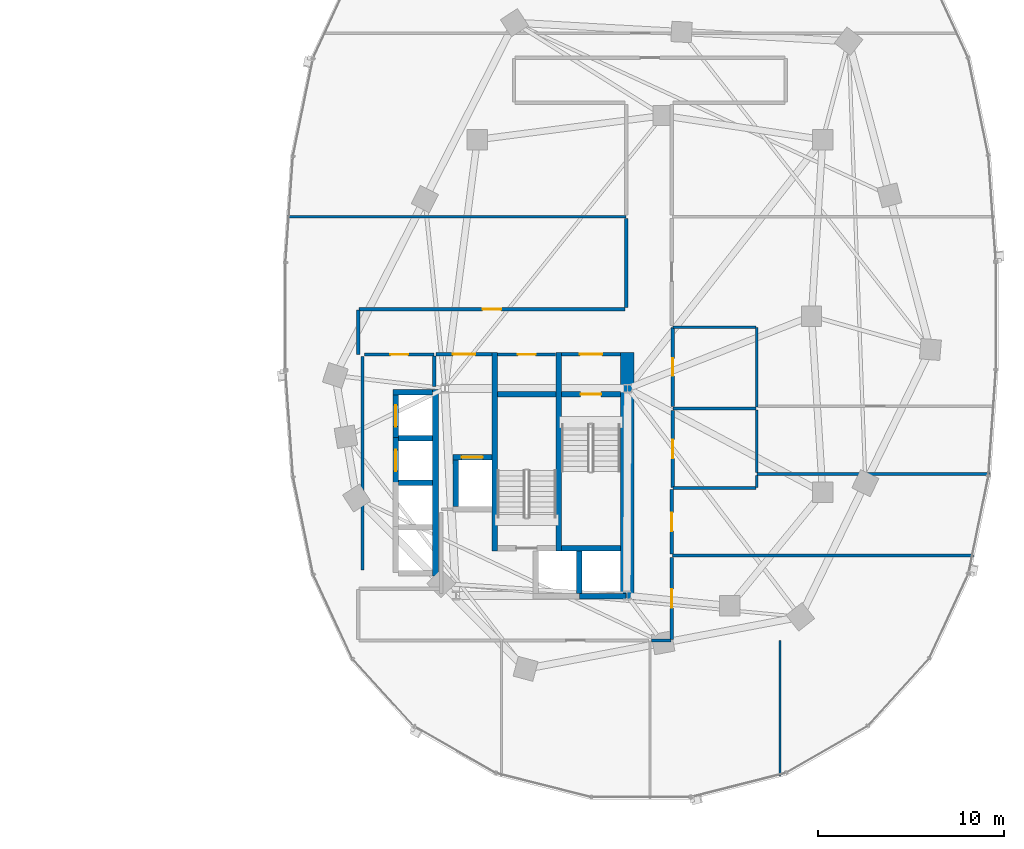
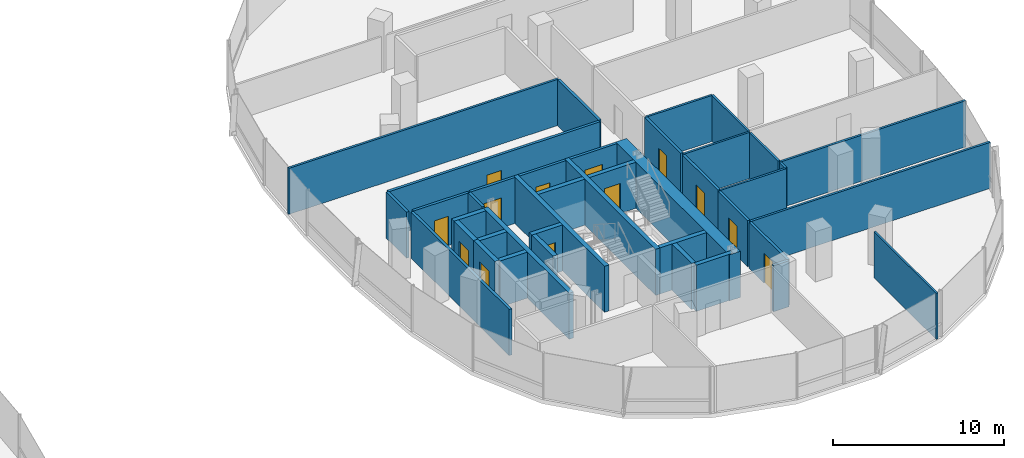
# One storey, part 13 of 21: 40 walls, 13 doors, 13 openings.
"""IFC4 building model written with IfcOpenShell, lengths in metres."""

from ifc_helpers import new_model, si_unit, direction, frame, frame_2d, origin, place, context, subcontext, project, spatial, rectangle, extrude, material, layer, layer_set, type_object, element, fill, save


model = new_model("IFC4")

# Units and contexts
model_context = context("Model", 3, precision=1e-05, world=origin(), true_north=direction((0.0, 1.0)))
body_context = subcontext(model_context, "Body", "Model", "MODEL_VIEW")
ifc_project = project(units=[si_unit("LENGTHUNIT", "METRE"), si_unit("AREAUNIT", "SQUARE_METRE"), si_unit("VOLUMEUNIT", "CUBIC_METRE"), si_unit("PLANEANGLEUNIT", "RADIAN"), si_unit("MASSUNIT", "GRAM", prefix="KILO"), si_unit("THERMODYNAMICTEMPERATUREUNIT", "KELVIN"), si_unit("POWERUNIT", "WATT")], contexts=[model_context])

# Site, building, storey
site_placement = place(None, origin())
site = spatial("IfcSite", under=ifc_project, at=site_placement, CompositionType="ELEMENT")
building_placement = place(site_placement, origin())
building = spatial("IfcBuilding", under=site, at=building_placement, Name="Cundina Bronze Exchange", CompositionType="ELEMENT")
storey_placement = place(building_placement, frame((0.0, 0.0, 121.39990234375)))
storey = spatial("IfcBuildingStorey", under=building, at=storey_placement, Name="L31", CompositionType="ELEMENT", Elevation=121.39990234375)

# Wall
ifc_material_1 = material(Name="Gypsum Fireboard Partition EI120")
ifc_layer_1 = layer(ifc_material_1, 0.179931640625, Name="Gypsum Fireboard Partition EI120")
ifc_layer_set_1 = layer_set([ifc_layer_1], Name="Gypsum Fireboard Partition EI120")
wall_type_1 = type_object("IfcWallType", Name="WL-COR-180", PredefinedType="PARTITIONING", material=ifc_layer_set_1)
wall_1_placement = place(storey_placement, frame((20.889892578125, -3.800048828125, 0.0), z_axis=(0.0, 0.0, 1.0), x_axis=(0.0, 1.0, 0.0)))
element("IfcWall", 1, at=wall_1_placement, inside=storey, type_object=wall_type_1, Name="L31 E Firefighting Lobby Side Wall", PredefinedType="PARTITIONING", context=body_context, shape_type="SweptSolid", body=[
    extrude(rectangle(XDim=1.650146484375, YDim=0.179931640625, at=frame_2d((0.8251953125, 0.0))), origin(), (0.0, 0.0, 1.0), 3.300048828125),
])

# Wall, opening, door
wall_2_placement = place(storey_placement, frame((20.97998046875, -2.06005859375, 0.0), z_axis=(0.0, 0.0, 1.0), x_axis=(1.0, 0.0, 0.0)))
wall_2 = element("IfcWall", 2, at=wall_2_placement, inside=storey, type_object=wall_type_1, Name="L31 E Firefighting Lobby Exit Wall", PredefinedType="PARTITIONING", context=body_context, shape_type="SweptSolid", body=[
    extrude(rectangle(XDim=3.0, YDim=0.179931640625, at=frame_2d((1.5, 0.0))), origin(), (0.0, 0.0, 1.0), 3.300048828125),
])
opening_1_placement = place(wall_2_placement, frame((0.89990234375, 0.0, 0.0)))
opening_1 = element("IfcOpeningElement", 3, at=opening_1_placement, cuts=wall_2, Name="Opening DF-01", PredefinedType="OPENING", context=body_context, shape_type="SweptSolid", body=[
    extrude(rectangle(XDim=1.199951171875, YDim=2.14990234375, at=frame_2d((0.60009765625, 1.074951171875))), frame((0.0, 0.099853515625, 0.0), z_axis=(0.0, -1.0, 0.0), x_axis=(1.0, 0.0, 0.0)), (0.0, 0.0, 1.0), 0.199951171875),
])
ifc_material_2 = material(Name="Steel ASTM A36 Painted", Category="steel")
door_type_1 = type_object("IfcDoorType", Name="DR-FFL-1200", OperationType="NOTDEFINED", PredefinedType="DOOR", material=ifc_material_2)
door_1_placement = place(opening_1_placement, origin())
door_1 = element("IfcDoor", 4, at=door_1_placement, inside=storey, type_object=door_type_1, Name="L31 E Firefighting Lobby Door", OperationType="SINGLE_SWING_LEFT", OverallHeight=2.14990234375, OverallWidth=1.199951171875, PredefinedType="DOOR", context=body_context, shape_type="SweptSolid", body=[
    extrude(rectangle(XDim=1.199951171875, YDim=2.14990234375, at=frame_2d((0.60009765625, 1.074951171875))), frame((0.0, 0.02490234375, 0.0), z_axis=(0.0, -1.0, 0.0), x_axis=(1.0, 0.0, 0.0)), (0.0, 0.0, 1.0), 0.050048828125),
])
fill(opening_1, door_1)

wall_3_placement = place(storey_placement, frame((27.739990234375, -2.06005859375, 0.0), z_axis=(0.0, 0.0, 1.0), x_axis=(1.0, 0.0, 0.0)))
wall_3 = element("IfcWall", 5, at=wall_3_placement, inside=storey, type_object=wall_type_1, Name="L31 E Stair Vestibule Exit Wall", PredefinedType="PARTITIONING", context=body_context, shape_type="SweptSolid", body=[
    extrude(rectangle(XDim=3.159912109375, YDim=0.179931640625, at=frame_2d((1.580078125, 0.0))), origin(), (0.0, 0.0, 1.0), 3.300048828125),
])
opening_2_placement = place(wall_3_placement, frame((0.97998046875, 0.0, 0.0)))
opening_2 = element("IfcOpeningElement", 6, at=opening_2_placement, cuts=wall_3, Name="Opening DF-01", PredefinedType="OPENING", context=body_context, shape_type="SweptSolid", body=[
    extrude(rectangle(XDim=1.199951171875, YDim=2.14990234375, at=frame_2d((0.60009765625, 1.074951171875))), frame((0.0, 0.099853515625, 0.0), z_axis=(0.0, -1.0, 0.0), x_axis=(1.0, 0.0, 0.0)), (0.0, 0.0, 1.0), 0.199951171875),
])
door_2_placement = place(opening_2_placement, origin())
door_2 = element("IfcDoor", 7, at=door_2_placement, inside=storey, type_object=door_type_1, Name="L31 E Stair Vestibule Door", OperationType="SINGLE_SWING_RIGHT", OverallHeight=2.14990234375, OverallWidth=1.199951171875, PredefinedType="DOOR", context=body_context, shape_type="SweptSolid", body=[
    extrude(rectangle(XDim=1.199951171875, YDim=2.14990234375, at=frame_2d((0.60009765625, 1.074951171875))), frame((0.0, 0.02490234375, 0.0), z_axis=(0.0, -1.0, 0.0), x_axis=(1.0, 0.0, 0.0)), (0.0, 0.0, 1.0), 0.050048828125),
])
fill(opening_2, door_2)

# Wall
wall_4_placement = place(storey_placement, frame((17.02001953125, -13.679931640625, 0.0), z_axis=(0.0, 0.0, 1.0), x_axis=(0.0, 1.0, 0.0)))
element("IfcWall", 8, at=wall_4_placement, inside=storey, type_object=wall_type_1, Name="L31 Interior Partition 040", PredefinedType="PARTITIONING", context=body_context, shape_type="SweptSolid", body=[
    extrude(rectangle(XDim=11.510009765625, YDim=0.179931640625, at=frame_2d((5.7548828125, 0.0))), origin(), (0.0, 0.0, 1.0), 3.300048828125),
])

# Wall, opening, door
wall_5_placement = place(storey_placement, frame((17.1201171875, -2.070068359375, 0.0), z_axis=(0.0, 0.0, 1.0), x_axis=(1.0, 0.0, 0.0)))
wall_5 = element("IfcWall", 9, at=wall_5_placement, inside=storey, type_object=wall_type_1, Name="L31 Interior Partition 041", PredefinedType="PARTITIONING", context=body_context, shape_type="SweptSolid", body=[
    extrude(rectangle(XDim=3.75, YDim=0.179931640625, at=frame_2d((1.875, 0.0))), origin(), (0.0, 0.0, 1.0), 3.300048828125),
])
opening_3_placement = place(wall_5_placement, frame((1.39990234375, 0.0, 0.0)))
opening_3 = element("IfcOpeningElement", 10, at=opening_3_placement, cuts=wall_5, Name="Opening DW-01", PredefinedType="OPENING", context=body_context, shape_type="SweptSolid", body=[
    extrude(rectangle(XDim=0.949951171875, YDim=2.10009765625, at=frame_2d((0.47509765625, 1.050048828125))), frame((0.0, 0.099853515625, 0.0), z_axis=(0.0, -1.0, 0.0), x_axis=(1.0, 0.0, 0.0)), (0.0, 0.0, 1.0), 0.199951171875),
])
ifc_material_3 = material(Name="Solid Andean Oak Timber Grade A", Category="wood")
door_type_2 = type_object("IfcDoorType", Name="DR-WC-950", OperationType="NOTDEFINED", PredefinedType="DOOR", material=ifc_material_3)
door_3_placement = place(opening_3_placement, origin())
door_3 = element("IfcDoor", 11, at=door_3_placement, inside=storey, type_object=door_type_2, Name="L31 Interior Door 041", OperationType="SINGLE_SWING_RIGHT", OverallHeight=2.10009765625, OverallWidth=0.949951171875, PredefinedType="DOOR", context=body_context, shape_type="SweptSolid", body=[
    extrude(rectangle(XDim=0.949951171875, YDim=2.10009765625, at=frame_2d((0.47509765625, 1.050048828125))), frame((0.0, 0.02490234375, 0.0), z_axis=(0.0, -1.0, 0.0), x_axis=(1.0, 0.0, 0.0)), (0.0, 0.0, 1.0), 0.050048828125),
])
fill(opening_3, door_3)

wall_6_placement = place(storey_placement, frame((24.300048828125, -2.070068359375, 0.0), z_axis=(0.0, 0.0, 1.0), x_axis=(1.0, 0.0, 0.0)))
wall_6 = element("IfcWall", 12, at=wall_6_placement, inside=storey, type_object=wall_type_1, Name="L31 Interior Partition 044", PredefinedType="PARTITIONING", context=body_context, shape_type="SweptSolid", body=[
    extrude(rectangle(XDim=3.119873046875, YDim=0.179931640625, at=frame_2d((1.56005859375, 0.0))), origin(), (0.0, 0.0, 1.0), 3.300048828125),
])
opening_4_placement = place(wall_6_placement, frame((1.0849609375, 0.0, 0.0)))
opening_4 = element("IfcOpeningElement", 13, at=opening_4_placement, cuts=wall_6, Name="Opening DW-01", PredefinedType="OPENING", context=body_context, shape_type="SweptSolid", body=[
    extrude(rectangle(XDim=0.949951171875, YDim=2.10009765625, at=frame_2d((0.47509765625, 1.050048828125))), frame((0.0, 0.099853515625, 0.0), z_axis=(0.0, -1.0, 0.0), x_axis=(1.0, 0.0, 0.0)), (0.0, 0.0, 1.0), 0.199951171875),
])
door_4_placement = place(opening_4_placement, origin())
door_4 = element("IfcDoor", 14, at=door_4_placement, inside=storey, type_object=door_type_2, Name="L31 Interior Door 044", OperationType="SINGLE_SWING_LEFT", OverallHeight=2.10009765625, OverallWidth=0.949951171875, PredefinedType="DOOR", context=body_context, shape_type="SweptSolid", body=[
    extrude(rectangle(XDim=0.949951171875, YDim=2.10009765625, at=frame_2d((0.47509765625, 1.050048828125))), frame((0.0, 0.02490234375, 0.0), z_axis=(0.0, -1.0, 0.0), x_axis=(1.0, 0.0, 0.0)), (0.0, 0.0, 1.0), 0.050048828125),
])
fill(opening_4, door_4)

wall_7_placement = place(storey_placement, frame((33.719970703125, -4.8798828125, 0.0), z_axis=(0.0, 0.0, 1.0), x_axis=(0.0, 1.0, 0.0)))
wall_7 = element("IfcWall", 15, at=wall_7_placement, inside=storey, type_object=wall_type_1, Name="L31 Interior Partition 051", PredefinedType="PARTITIONING", context=body_context, shape_type="SweptSolid", body=[
    extrude(rectangle(XDim=4.259765625, YDim=0.179931640625, at=frame_2d((2.1298828125, 0.0))), origin(), (0.0, 0.0, 1.0), 3.300048828125),
])
opening_5_placement = place(wall_7_placement, frame((1.655029296875, 0.0, 0.0)))
opening_5 = element("IfcOpeningElement", 16, at=opening_5_placement, cuts=wall_7, Name="Opening DW-01", PredefinedType="OPENING", context=body_context, shape_type="SweptSolid", body=[
    extrude(rectangle(XDim=0.949951171875, YDim=2.10009765625, at=frame_2d((0.47509765625, 1.050048828125))), frame((0.0, 0.099853515625, 0.0), z_axis=(0.0, -1.0, 0.0), x_axis=(1.0, 0.0, 0.0)), (0.0, 0.0, 1.0), 0.199951171875),
])
door_5_placement = place(opening_5_placement, origin())
door_5 = element("IfcDoor", 17, at=door_5_placement, inside=storey, type_object=door_type_2, Name="L31 Interior Door 051", OperationType="SINGLE_SWING_RIGHT", OverallHeight=2.10009765625, OverallWidth=0.949951171875, PredefinedType="DOOR", context=body_context, shape_type="SweptSolid", body=[
    extrude(rectangle(XDim=0.949951171875, YDim=2.10009765625, at=frame_2d((0.47509765625, 1.050048828125))), frame((0.0, 0.02490234375, 0.0), z_axis=(0.0, -1.0, 0.0), x_axis=(1.0, 0.0, 0.0)), (0.0, 0.0, 1.0), 0.050048828125),
])
fill(opening_5, door_5)

wall_8_placement = place(storey_placement, frame((33.719970703125, -9.239990234375, 0.0), z_axis=(0.0, 0.0, 1.0), x_axis=(0.0, 1.0, 0.0)))
wall_8 = element("IfcWall", 18, at=wall_8_placement, inside=storey, type_object=wall_type_1, Name="L31 Interior Partition 052", PredefinedType="PARTITIONING", context=body_context, shape_type="SweptSolid", body=[
    extrude(rectangle(XDim=4.159912109375, YDim=0.179931640625, at=frame_2d((2.080078125, 0.0))), origin(), (0.0, 0.0, 1.0), 3.300048828125),
])
opening_6_placement = place(wall_8_placement, frame((1.580078125, 0.0, 0.0)))
opening_6 = element("IfcOpeningElement", 19, at=opening_6_placement, cuts=wall_8, Name="Opening DO-01", PredefinedType="OPENING", context=body_context, shape_type="SweptSolid", body=[
    extrude(rectangle(XDim=1.0, YDim=2.14990234375, at=frame_2d((0.5, 1.074951171875))), frame((0.0, 0.099853515625, 0.0), z_axis=(0.0, -1.0, 0.0), x_axis=(1.0, 0.0, 0.0)), (0.0, 0.0, 1.0), 0.199951171875),
])
door_type_3 = type_object("IfcDoorType", Name="DR-OFF-1000", OperationType="NOTDEFINED", PredefinedType="DOOR", material=ifc_material_3)
door_6_placement = place(opening_6_placement, origin())
door_6 = element("IfcDoor", 20, at=door_6_placement, inside=storey, type_object=door_type_3, Name="L31 Interior Door 052", OperationType="SINGLE_SWING_RIGHT", OverallHeight=2.14990234375, OverallWidth=1.0, PredefinedType="DOOR", context=body_context, shape_type="SweptSolid", body=[
    extrude(rectangle(XDim=1.0, YDim=2.14990234375, at=frame_2d((0.5, 1.074951171875))), frame((0.0, 0.02490234375, 0.0), z_axis=(0.0, -1.0, 0.0), x_axis=(1.0, 0.0, 0.0)), (0.0, 0.0, 1.0), 0.050048828125),
])
fill(opening_6, door_6)

wall_9_placement = place(storey_placement, frame((33.669921875, -17.428466796875, 0.0), z_axis=(0.0, 0.0, 1.0), x_axis=(0.0, 1.0, 0.0)))
wall_9 = element("IfcWall", 21, at=wall_9_placement, inside=storey, type_object=wall_type_1, Name="L31 Interior Partition 061", PredefinedType="PARTITIONING", context=body_context, shape_type="SweptSolid", body=[
    extrude(rectangle(XDim=4.4384765625, YDim=0.179931640625, at=frame_2d((2.21923828125, 0.0))), origin(), (0.0, 0.0, 1.0), 3.300048828125),
])
opening_7_placement = place(wall_9_placement, frame((1.71923828125, 0.0, 0.0)))
opening_7 = element("IfcOpeningElement", 22, at=opening_7_placement, cuts=wall_9, Name="Opening DO-01", PredefinedType="OPENING", context=body_context, shape_type="SweptSolid", body=[
    extrude(rectangle(XDim=1.0, YDim=2.14990234375, at=frame_2d((0.5, 1.074951171875))), frame((0.0, 0.099853515625, 0.0), z_axis=(0.0, -1.0, 0.0), x_axis=(1.0, 0.0, 0.0)), (0.0, 0.0, 1.0), 0.199951171875),
])
door_7_placement = place(opening_7_placement, origin())
door_7 = element("IfcDoor", 23, at=door_7_placement, inside=storey, type_object=door_type_3, Name="L31 Interior Door 061", OperationType="SINGLE_SWING_RIGHT", OverallHeight=2.14990234375, OverallWidth=1.0, PredefinedType="DOOR", context=body_context, shape_type="SweptSolid", body=[
    extrude(rectangle(XDim=1.0, YDim=2.14990234375, at=frame_2d((0.5, 1.074951171875))), frame((0.0, 0.02490234375, 0.0), z_axis=(0.0, -1.0, 0.0), x_axis=(1.0, 0.0, 0.0)), (0.0, 0.0, 1.0), 0.050048828125),
])
fill(opening_7, door_7)

# Wall
wall_10_placement = place(storey_placement, frame((32.590087890625, -17.469970703125, 0.0), z_axis=(0.0, 0.0, 1.0), x_axis=(1.0, 0.0, 0.0)))
element("IfcWall", 24, at=wall_10_placement, inside=storey, type_object=wall_type_1, Name="L31 Interior Partition 062", PredefinedType="PARTITIONING", context=body_context, shape_type="SweptSolid", body=[
    extrude(rectangle(XDim=1.038330078125, YDim=0.179931640625, at=frame_2d((0.51904296875, 0.0))), origin(), (0.0, 0.0, 1.0), 3.300048828125),
])

# Wall, opening, door
wall_11_placement = place(storey_placement, frame((33.669921875, -12.81005859375, 0.0), z_axis=(0.0, 0.0, 1.0), x_axis=(0.0, 1.0, 0.0)))
wall_11 = element("IfcWall", 25, at=wall_11_placement, inside=storey, type_object=wall_type_1, Name="L31 Interior Partition 063", PredefinedType="PARTITIONING", context=body_context, shape_type="SweptSolid", body=[
    extrude(rectangle(XDim=3.458740234375, YDim=0.179931640625, at=frame_2d((1.7294921875, 0.0))), origin(), (0.0, 0.0, 1.0), 3.300048828125),
])
opening_8_placement = place(wall_11_placement, frame((1.229248046875, 0.0, 0.0)))
opening_8 = element("IfcOpeningElement", 26, at=opening_8_placement, cuts=wall_11, Name="Opening DO-01", PredefinedType="OPENING", context=body_context, shape_type="SweptSolid", body=[
    extrude(rectangle(XDim=1.0, YDim=2.14990234375, at=frame_2d((0.5, 1.074951171875))), frame((0.0, 0.099853515625, 0.0), z_axis=(0.0, -1.0, 0.0), x_axis=(1.0, 0.0, 0.0)), (0.0, 0.0, 1.0), 0.199951171875),
])
door_8_placement = place(opening_8_placement, origin())
door_8 = element("IfcDoor", 27, at=door_8_placement, inside=storey, type_object=door_type_3, Name="L31 Interior Door 063", OperationType="SINGLE_SWING_LEFT", OverallHeight=2.14990234375, OverallWidth=1.0, PredefinedType="DOOR", context=body_context, shape_type="SweptSolid", body=[
    extrude(rectangle(XDim=1.0, YDim=2.14990234375, at=frame_2d((0.5, 1.074951171875))), frame((0.0, 0.02490234375, 0.0), z_axis=(0.0, -1.0, 0.0), x_axis=(1.0, 0.0, 0.0)), (0.0, 0.0, 1.0), 0.050048828125),
])
fill(opening_8, door_8)

wall_12_placement = place(storey_placement, frame((31.14990234375, 0.3701171875, 0.0), z_axis=(0.0, 0.0, 1.0), x_axis=(-1.0, 0.0, 0.0)))
wall_12 = element("IfcWall", 28, at=wall_12_placement, inside=storey, type_object=wall_type_1, Name="L31 Interior Partition 064", PredefinedType="PARTITIONING", context=body_context, shape_type="SweptSolid", body=[
    extrude(rectangle(XDim=14.328369140625, YDim=0.179931640625, at=frame_2d((7.1640625, 0.0))), origin(), (0.0, 0.0, 1.0), 3.300048828125),
])
opening_9_placement = place(wall_12_placement, frame((6.664306640625, 0.0, 0.0)))
opening_9 = element("IfcOpeningElement", 29, at=opening_9_placement, cuts=wall_12, Name="Opening DO-01", PredefinedType="OPENING", context=body_context, shape_type="SweptSolid", body=[
    extrude(rectangle(XDim=1.0, YDim=2.14990234375, at=frame_2d((0.5, 1.074951171875))), frame((0.0, 0.099853515625, 0.0), z_axis=(0.0, -1.0, 0.0), x_axis=(1.0, 0.0, 0.0)), (0.0, 0.0, 1.0), 0.199951171875),
])
door_9_placement = place(opening_9_placement, origin())
door_9 = element("IfcDoor", 30, at=door_9_placement, inside=storey, type_object=door_type_3, Name="L31 Interior Door 064", OperationType="SINGLE_SWING_LEFT", OverallHeight=2.14990234375, OverallWidth=1.0, PredefinedType="DOOR", context=body_context, shape_type="SweptSolid", body=[
    extrude(rectangle(XDim=1.0, YDim=2.14990234375, at=frame_2d((0.5, 1.074951171875))), frame((0.0, 0.02490234375, 0.0), z_axis=(0.0, -1.0, 0.0), x_axis=(1.0, 0.0, 0.0)), (0.0, 0.0, 1.0), 0.050048828125),
])
fill(opening_9, door_9)

# Walls
wall_13_placement = place(storey_placement, frame((31.22998046875, 5.260009765625, 0.0), z_axis=(0.0, 0.0, 1.0), x_axis=(0.0, -1.0, 0.0)))
element("IfcWall", 31, at=wall_13_placement, inside=storey, type_object=wall_type_1, Name="L31 Interior Partition 066", PredefinedType="PARTITIONING", context=body_context, shape_type="SweptSolid", body=[
    extrude(rectangle(XDim=4.81005859375, YDim=0.179931640625, at=frame_2d((2.405029296875, 0.0))), origin(), (0.0, 0.0, 1.0), 3.300048828125),
])
wall_14_placement = place(storey_placement, frame((16.780029296875, 0.32861328125, 0.0), z_axis=(0.0, 0.0, 1.0), x_axis=(0.0, -1.0, 0.0)))
element("IfcWall", 32, at=wall_14_placement, inside=storey, type_object=wall_type_1, Name="L31 Interior Partition 069", PredefinedType="PARTITIONING", context=body_context, shape_type="SweptSolid", body=[
    extrude(rectangle(XDim=2.38720703125, YDim=0.179931640625, at=frame_2d((1.193603515625, 0.0))), origin(), (0.0, 0.0, 1.0), 3.300048828125),
])
ifc_material_4 = material(Name="Concrete C60/75", Category="concrete")
ifc_layer_2 = layer(ifc_material_4, 0.75, Name="Concrete C60/75", Category="concrete")
ifc_layer_set_2 = layer_set([ifc_layer_2], Name="Concrete C60/75")
wall_type_2 = type_object("IfcWallType", Name="WL-CORE-750", PredefinedType="SHEAR", material=ifc_layer_set_2)
wall_15_placement = place(storey_placement, frame((31.27490234375, -15.300048828125, 0.0), z_axis=(0.0, 0.0, 1.0), x_axis=(0.0, 1.0, 0.0)))
element("IfcWall", 33, at=wall_15_placement, inside=storey, type_object=wall_type_2, Name="L31 E Primary Core Shear Spine Wall", PredefinedType="SHEAR", context=body_context, shape_type="SweptSolid", body=[
    extrude(rectangle(XDim=13.330078125, YDim=0.75, at=frame_2d((6.6650390625, 0.0))), origin(), (0.0, 0.0, 1.0), 3.300048828125),
])
ifc_material_5 = material(Name="Gypsum Acoustic Partition EI60")
ifc_layer_3 = layer(ifc_material_5, 0.125, Name="Gypsum Acoustic Partition EI60")
ifc_layer_set_3 = layer_set([ifc_layer_3], Name="Gypsum Acoustic Partition EI60")
wall_type_3 = type_object("IfcWallType", Name="WL-OFF-125", PredefinedType="PARTITIONING", material=ifc_layer_set_3)
wall_16_placement = place(storey_placement, frame((39.5, -24.772216796875, 0.0), z_axis=(0.0, 0.0, 1.0), x_axis=(0.0, 1.0, 0.0)))
element("IfcWall", 34, at=wall_16_placement, inside=storey, type_object=wall_type_3, Name="L31 Interior Partition 059", PredefinedType="PARTITIONING", context=body_context, shape_type="SweptSolid", body=[
    extrude(rectangle(XDim=7.30224609375, YDim=0.125, at=frame_2d((3.651123046875, 0.0))), origin(), (0.0, 0.0, 1.0), 3.300048828125),
])
ifc_material_6 = material(Name="Concrete C50/60", Category="concrete")
ifc_layer_4 = layer(ifc_material_6, 0.300048828125, Name="Concrete C50/60", Category="concrete")
ifc_layer_set_4 = layer_set([ifc_layer_4], Name="Concrete C50/60")
wall_type_4 = type_object("IfcWallType", Name="WL-SHFT-300", PredefinedType="SHEAR", material=ifc_layer_set_4)
for number, where, z_axis, x_axis, name in (
    (35, (27.590087890625, -12.64990234375, 0.0), (0.0, 0.0, 1.0), (0.0, 1.0, 0.0), "L31 E Stair Shaft Dividing Shear Wall"),
    (36, (24.1298828125, -12.64990234375, 0.0), (0.0, 0.0, 1.0), (0.0, 1.0, 0.0), "L31 E Stair 2 East Shear Wall"),
):
    element("IfcWall", number, at=place(storey_placement, frame(where, z_axis=z_axis, x_axis=x_axis)), inside=storey, type_object=wall_type_4, Name=name, PredefinedType="SHEAR", context=body_context, shape_type="SweptSolid", body=[
        extrude(rectangle(XDim=10.679931640625, YDim=0.300048828125, at=frame_2d((5.33984375, 0.0))), origin(), (0.0, 0.0, 1.0), 3.300048828125),
    ])

# Wall, opening, door
wall_17_placement = place(storey_placement, frame((27.739990234375, -4.199951171875, 0.0), z_axis=(0.0, 0.0, 1.0), x_axis=(1.0, 0.0, 0.0)))
wall_17 = element("IfcWall", 37, at=wall_17_placement, inside=storey, type_object=wall_type_4, Name="L31 Stair E1 Landing Wall", PredefinedType="SHEAR", context=body_context, shape_type="SweptSolid", body=[
    extrude(rectangle(XDim=3.159912109375, YDim=0.300048828125, at=frame_2d((1.580078125, 0.0))), origin(), (0.0, 0.0, 1.0), 3.300048828125),
])
opening_10_placement = place(wall_17_placement, frame((1.030029296875, 0.0, 0.0)))
opening_10 = element("IfcOpeningElement", 38, at=opening_10_placement, cuts=wall_17, Name="Opening DS-01", PredefinedType="OPENING", context=body_context, shape_type="SweptSolid", body=[
    extrude(rectangle(XDim=1.10009765625, YDim=2.14990234375, at=frame_2d((0.550048828125, 1.074951171875))), frame((0.0, 0.159912109375, 0.0), z_axis=(0.0, -1.0, 0.0), x_axis=(1.0, 0.0, 0.0)), (0.0, 0.0, 1.0), 0.320068359375),
])
door_type_4 = type_object("IfcDoorType", Name="DR-STR-1100", OperationType="NOTDEFINED", PredefinedType="DOOR", material=ifc_material_2)
door_10_placement = place(opening_10_placement, origin())
door_10 = element("IfcDoor", 39, at=door_10_placement, inside=storey, type_object=door_type_4, Name="L31 Smokeproof Stair E1 Door", OperationType="SINGLE_SWING_LEFT", OverallHeight=2.14990234375, OverallWidth=1.10009765625, PredefinedType="DOOR", context=body_context, shape_type="SweptSolid", body=[
    extrude(rectangle(XDim=1.10009765625, YDim=2.14990234375, at=frame_2d((0.550048828125, 1.074951171875))), frame((0.0, 0.02490234375, 0.0), z_axis=(0.0, -1.0, 0.0), x_axis=(1.0, 0.0, 0.0)), (0.0, 0.0, 1.0), 0.050048828125),
])
fill(opening_10, door_10)

# Walls
for number, where, z_axis, x_axis, name in (
    (40, (27.739990234375, -12.5, 0.0), (0.0, 0.0, 1.0), (1.0, 0.0, 0.0), "L31 Stair E1 Far Shaft Wall"),
    (41, (24.280029296875, -4.199951171875, 0.0), (0.0, 0.0, 1.0), (1.0, 0.0, 0.0), "L31 Stair E2 Far Shaft Wall"),
):
    element("IfcWall", number, at=place(storey_placement, frame(where, z_axis=z_axis, x_axis=x_axis)), inside=storey, type_object=wall_type_4, Name=name, PredefinedType="SHEAR", context=body_context, shape_type="SweptSolid", body=[
        extrude(rectangle(XDim=3.159912109375, YDim=0.300048828125, at=frame_2d((1.580078125, 0.0))), origin(), (0.0, 0.0, 1.0), 3.300048828125),
    ])

# Wall, opening, door
wall_18_placement = place(storey_placement, frame((21.8798828125, -7.60009765625, 0.0), z_axis=(0.0, 0.0, 1.0), x_axis=(1.0, 0.0, 0.0)))
wall_18 = element("IfcWall", 42, at=wall_18_placement, inside=storey, type_object=wall_type_4, Name="L31 FFL-E Hoistway Front Wall", PredefinedType="SHEAR", context=body_context, shape_type="SweptSolid", body=[
    extrude(rectangle(XDim=2.10009765625, YDim=0.300048828125, at=frame_2d((1.050048828125, 0.0))), origin(), (0.0, 0.0, 1.0), 3.300048828125),
])
opening_11_placement = place(wall_18_placement, frame((0.47509765625, 0.0, 0.0)))
opening_11 = element("IfcOpeningElement", 43, at=opening_11_placement, cuts=wall_18, Name="Opening LD-01", PredefinedType="OPENING", context=body_context, shape_type="SweptSolid", body=[
    extrude(rectangle(XDim=1.14990234375, YDim=2.199951171875, at=frame_2d((0.574951171875, 1.10009765625))), frame((0.0, 0.159912109375, 0.0), z_axis=(0.0, -1.0, 0.0), x_axis=(1.0, 0.0, 0.0)), (0.0, 0.0, 1.0), 0.320068359375),
])
door_type_5 = type_object("IfcDoorType", Name="DR-LND-1150", OperationType="NOTDEFINED", PredefinedType="TRAPDOOR", material=ifc_material_2)
door_11_placement = place(opening_11_placement, origin())
door_11 = element("IfcDoor", 44, at=door_11_placement, inside=storey, type_object=door_type_5, Name="L31 FFL-E Sliding Landing Door", OperationType="SLIDING_TO_LEFT", OverallHeight=2.199951171875, OverallWidth=1.14990234375, PredefinedType="TRAPDOOR", context=body_context, shape_type="SweptSolid", body=[
    extrude(rectangle(XDim=1.14990234375, YDim=2.199951171875, at=frame_2d((0.574951171875, 1.10009765625))), frame((0.0, 0.02490234375, 0.0), z_axis=(0.0, -1.0, 0.0), x_axis=(1.0, 0.0, 0.0)), (0.0, 0.0, 1.0), 0.050048828125),
])
fill(opening_11, door_11)

# Walls
for number, where, z_axis, x_axis, name in (
    (45, (22.030029296875, -10.25, 0.0), (0.0, 0.0, 1.0), (0.0, 1.0, 0.0), "L31 FFL-E Hoistway Side Wall"),
    (46, (28.699951171875, -15.10009765625, 0.0), (0.0, 0.0, 1.0), (1.0, 0.0, 0.0), "L31 PH-E1 Hoistway Front Wall"),
):
    element("IfcWall", number, at=place(storey_placement, frame(where, z_axis=z_axis, x_axis=x_axis)), inside=storey, type_object=wall_type_4, Name=name, PredefinedType="SHEAR", context=body_context, shape_type="SweptSolid", body=[
        extrude(rectangle(XDim=2.5, YDim=0.300048828125, at=frame_2d((1.25, 0.0))), origin(), (0.0, 0.0, 1.0), 3.300048828125),
    ])
wall_19_placement = place(storey_placement, frame((28.699951171875, -14.949951171875, 0.0), z_axis=(0.0, 0.0, 1.0), x_axis=(0.0, 1.0, 0.0)))
element("IfcWall", 47, at=wall_19_placement, inside=storey, type_object=wall_type_4, Name="L31 PH-E1 Hoistway Divider Wall", PredefinedType="SHEAR", context=body_context, shape_type="SweptSolid", body=[
    extrude(rectangle(XDim=2.300048828125, YDim=0.300048828125, at=frame_2d((1.14990234375, 0.0))), origin(), (0.0, 0.0, 1.0), 3.300048828125),
])
wall_20_placement = place(storey_placement, frame((20.949951171875, -14.0, 0.0), z_axis=(0.0, 0.0, 1.0), x_axis=(0.0, 1.0, 0.0)))
element("IfcWall", 48, at=wall_20_placement, inside=storey, type_object=wall_type_4, Name="L31 E Passenger Bank Hoistway Back Wall", PredefinedType="SHEAR", context=body_context, shape_type="SweptSolid", body=[
    extrude(rectangle(XDim=10.050048828125, YDim=0.300048828125, at=frame_2d((5.02490234375, 0.0))), origin(), (0.0, 0.0, 1.0), 3.300048828125),
])
wall_21_placement = place(storey_placement, frame((18.64990234375, -4.10009765625, 0.0), z_axis=(0.0, 0.0, 1.0), x_axis=(1.0, 0.0, 0.0)))
element("IfcWall", 49, at=wall_21_placement, inside=storey, type_object=wall_type_4, Name="L31 E Passenger Bank North Cap Wall", PredefinedType="SHEAR", context=body_context, shape_type="SweptSolid", body=[
    extrude(rectangle(XDim=2.150146484375, YDim=0.300048828125, at=frame_2d((1.0751953125, 0.0))), origin(), (0.0, 0.0, 1.0), 3.300048828125),
])
for number, where, z_axis, x_axis, name in (
    (50, (18.949951171875, -8.97509765625, 0.0), (0.0, 0.0, 1.0), (1.0, 0.0, 0.0), "L31 E Passenger Hoistway Divider 2"),
    (51, (18.949951171875, -6.574951171875, 0.0), (0.0, 0.0, 1.0), (1.0, 0.0, 0.0), "L31 E Passenger Hoistway Divider 3"),
):
    element("IfcWall", number, at=place(storey_placement, frame(where, z_axis=z_axis, x_axis=x_axis)), inside=storey, type_object=wall_type_4, Name=name, PredefinedType="SHEAR", context=body_context, shape_type="SweptSolid", body=[
        extrude(rectangle(XDim=1.85009765625, YDim=0.300048828125, at=frame_2d((0.925048828125, 0.0))), origin(), (0.0, 0.0, 1.0), 3.300048828125),
    ])

# Wall, opening, door
wall_22_placement = place(storey_placement, frame((18.800048828125, -9.02001953125, 0.0), z_axis=(0.0, 0.0, 1.0), x_axis=(0.0, 1.0, 0.0)))
wall_22 = element("IfcWall", 52, at=wall_22_placement, inside=storey, type_object=wall_type_4, Name="L31 PL-E1 Hoistway Front Wall", PredefinedType="SHEAR", context=body_context, shape_type="SweptSolid", body=[
    extrude(rectangle(XDim=2.489990234375, YDim=0.300048828125, at=frame_2d((1.2451171875, 0.0))), origin(), (0.0, 0.0, 1.0), 3.300048828125),
])
opening_12_placement = place(wall_22_placement, frame((0.669921875, 0.0, 0.0)))
opening_12 = element("IfcOpeningElement", 53, at=opening_12_placement, cuts=wall_22, Name="Opening LD-01", PredefinedType="OPENING", context=body_context, shape_type="SweptSolid", body=[
    extrude(rectangle(XDim=1.14990234375, YDim=2.199951171875, at=frame_2d((0.574951171875, 1.10009765625))), frame((0.0, 0.159912109375, 0.0), z_axis=(0.0, -1.0, 0.0), x_axis=(1.0, 0.0, 0.0)), (0.0, 0.0, 1.0), 0.320068359375),
])
door_12_placement = place(opening_12_placement, origin())
door_12 = element("IfcDoor", 54, at=door_12_placement, inside=storey, type_object=door_type_5, Name="L31 PL-E1 Sliding Landing Door", OperationType="SLIDING_TO_LEFT", OverallHeight=2.199951171875, OverallWidth=1.14990234375, PredefinedType="TRAPDOOR", context=body_context, shape_type="SweptSolid", body=[
    extrude(rectangle(XDim=1.14990234375, YDim=2.199951171875, at=frame_2d((0.574951171875, 1.10009765625))), frame((0.0, 0.02490234375, 0.0), z_axis=(0.0, -1.0, 0.0), x_axis=(1.0, 0.0, 0.0)), (0.0, 0.0, 1.0), 0.050048828125),
])
fill(opening_12, door_12)

wall_23_placement = place(storey_placement, frame((18.800048828125, -6.6201171875, 0.0), z_axis=(0.0, 0.0, 1.0), x_axis=(0.0, 1.0, 0.0)))
wall_23 = element("IfcWall", 55, at=wall_23_placement, inside=storey, type_object=wall_type_4, Name="L31 PL-E2 Hoistway Front Wall", PredefinedType="SHEAR", context=body_context, shape_type="SweptSolid", body=[
    extrude(rectangle(XDim=2.490234375, YDim=0.300048828125, at=frame_2d((1.2451171875, 0.0))), origin(), (0.0, 0.0, 1.0), 3.300048828125),
])
opening_13_placement = place(wall_23_placement, frame((0.669921875, 0.0, 0.0)))
opening_13 = element("IfcOpeningElement", 56, at=opening_13_placement, cuts=wall_23, Name="Opening LD-01", PredefinedType="OPENING", context=body_context, shape_type="SweptSolid", body=[
    extrude(rectangle(XDim=1.14990234375, YDim=2.199951171875, at=frame_2d((0.574951171875, 1.10009765625))), frame((0.0, 0.159912109375, 0.0), z_axis=(0.0, -1.0, 0.0), x_axis=(1.0, 0.0, 0.0)), (0.0, 0.0, 1.0), 0.320068359375),
])
door_13_placement = place(opening_13_placement, origin())
door_13 = element("IfcDoor", 57, at=door_13_placement, inside=storey, type_object=door_type_5, Name="L31 PL-E2 Sliding Landing Door", OperationType="SLIDING_TO_LEFT", OverallHeight=2.199951171875, OverallWidth=1.14990234375, PredefinedType="TRAPDOOR", context=body_context, shape_type="SweptSolid", body=[
    extrude(rectangle(XDim=1.14990234375, YDim=2.199951171875, at=frame_2d((0.574951171875, 1.10009765625))), frame((0.0, 0.02490234375, 0.0), z_axis=(0.0, -1.0, 0.0), x_axis=(1.0, 0.0, 0.0)), (0.0, 0.0, 1.0), 0.050048828125),
])
fill(opening_13, door_13)

# Walls
ifc_layer_5 = layer(ifc_material_5, 0.14990234375, Name="Gypsum Acoustic Partition EI60")
ifc_layer_set_5 = layer_set([ifc_layer_5], Name="Gypsum Acoustic Partition EI60")
wall_type_5 = type_object("IfcWallType", Name="WL-TEN-150", PredefinedType="PARTITIONING", material=ifc_layer_set_5)
wall_24_placement = place(storey_placement, frame((12.96240234375, 5.35009765625, 0.0), z_axis=(0.0, 0.0, 1.0), x_axis=(1.0, 0.0, 0.0)))
element("IfcWall", 58, at=wall_24_placement, inside=storey, type_object=wall_type_5, Name="L31 Interior Partition 053", PredefinedType="PARTITIONING", context=body_context, shape_type="SweptSolid", body=[
    extrude(rectangle(XDim=18.237548828125, YDim=0.14990234375, at=frame_2d((9.11865234375, 0.0))), origin(), (0.0, 0.0, 1.0), 3.300048828125),
])
wall_25_placement = place(storey_placement, frame((38.27001953125, -8.5, 0.0), z_axis=(0.0, 0.0, 1.0), x_axis=(1.0, 0.0, 0.0)))
element("IfcWall", 59, at=wall_25_placement, inside=storey, type_object=wall_type_5, Name="L31 Interior Partition 055", PredefinedType="PARTITIONING", context=body_context, shape_type="SweptSolid", body=[
    extrude(rectangle(XDim=12.545654296875, YDim=0.14990234375, at=frame_2d((6.27294921875, 0.0))), origin(), (0.0, 0.0, 1.0), 3.300048828125),
])
wall_26_placement = place(storey_placement, frame((33.699951171875, -12.89990234375, 0.0), z_axis=(0.0, 0.0, 1.0), x_axis=(1.0, 0.0, 0.0)))
element("IfcWall", 60, at=wall_26_placement, inside=storey, type_object=wall_type_5, Name="L31 Interior Partition 056", PredefinedType="PARTITIONING", context=body_context, shape_type="SweptSolid", body=[
    extrude(rectangle(XDim=16.23095703125, YDim=0.14990234375, at=frame_2d((8.115478515625, 0.0))), origin(), (0.0, 0.0, 1.0), 3.300048828125),
])
ifc_material_7 = material(Name="Moisture-Resistant Masonry Block Grade M15", Category="masonry")
ifc_layer_6 = layer(ifc_material_7, 0.139892578125, Name="Moisture-Resistant Masonry Block Grade M15", Category="masonry")
ifc_layer_set_6 = layer_set([ifc_layer_6], Name="Moisture-Resistant Masonry Block Grade M15")
wall_type_6 = type_object("IfcWallType", Name="WL-WET-140", PredefinedType="PARTITIONING", material=ifc_layer_set_6)
wall_27_placement = place(storey_placement, frame((38.239990234375, -9.239990234375, 0.0), z_axis=(0.0, 0.0, 1.0), x_axis=(0.0, 1.0, 0.0)))
element("IfcWall", 61, at=wall_27_placement, inside=storey, type_object=wall_type_6, Name="L31 Interior Partition 045", PredefinedType="PARTITIONING", context=body_context, shape_type="SweptSolid", body=[
    extrude(rectangle(XDim=0.655029296875, YDim=0.139892578125, at=frame_2d((0.32763671875, 0.0))), origin(), (0.0, 0.0, 1.0), 3.300048828125),
])
wall_28_placement = place(storey_placement, frame((38.239990234375, -8.4150390625, 0.0), z_axis=(0.0, 0.0, 1.0), x_axis=(0.0, 1.0, 0.0)))
element("IfcWall", 62, at=wall_28_placement, inside=storey, type_object=wall_type_6, Name="L31 Interior Partition 046", PredefinedType="PARTITIONING", context=body_context, shape_type="SweptSolid", body=[
    extrude(rectangle(XDim=3.35009765625, YDim=0.139892578125, at=frame_2d((1.675048828125, 0.0))), origin(), (0.0, 0.0, 1.0), 3.300048828125),
])
wall_29_placement = place(storey_placement, frame((38.239990234375, -4.89501953125, 0.0), z_axis=(0.0, 0.0, 1.0), x_axis=(0.0, 1.0, 0.0)))
element("IfcWall", 63, at=wall_29_placement, inside=storey, type_object=wall_type_6, Name="L31 Interior Partition 047", PredefinedType="PARTITIONING", context=body_context, shape_type="SweptSolid", body=[
    extrude(rectangle(XDim=4.27490234375, YDim=0.139892578125, at=frame_2d((2.137451171875, 0.0))), origin(), (0.0, 0.0, 1.0), 3.300048828125),
])
for number, where, z_axis, x_axis, name in (
    (64, (33.739990234375, -0.60009765625, 0.0), (0.0, 0.0, 1.0), (1.0, 0.0, 0.0), "L31 Interior Partition 048"),
    (65, (33.739990234375, -4.97998046875, 0.0), (0.0, 0.0, 1.0), (1.0, 0.0, 0.0), "L31 Interior Partition 049"),
    (66, (33.739990234375, -9.260009765625, 0.0), (0.0, 0.0, 1.0), (1.0, 0.0, 0.0), "L31 Interior Partition 050"),
):
    element("IfcWall", number, at=place(storey_placement, frame(where, z_axis=z_axis, x_axis=x_axis)), inside=storey, type_object=wall_type_6, Name=name, PredefinedType="PARTITIONING", context=body_context, shape_type="SweptSolid", body=[
        extrude(rectangle(XDim=4.47998046875, YDim=0.139892578125, at=frame_2d((2.239990234375, 0.0))), origin(), (0.0, 0.0, 1.0), 3.300048828125),
    ])

save(model, "model.ifc")
